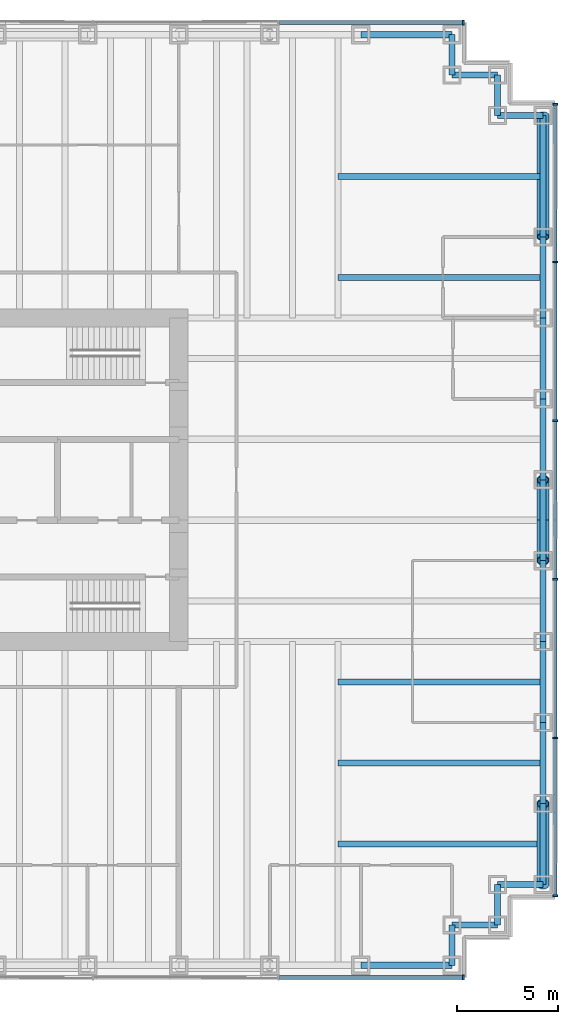
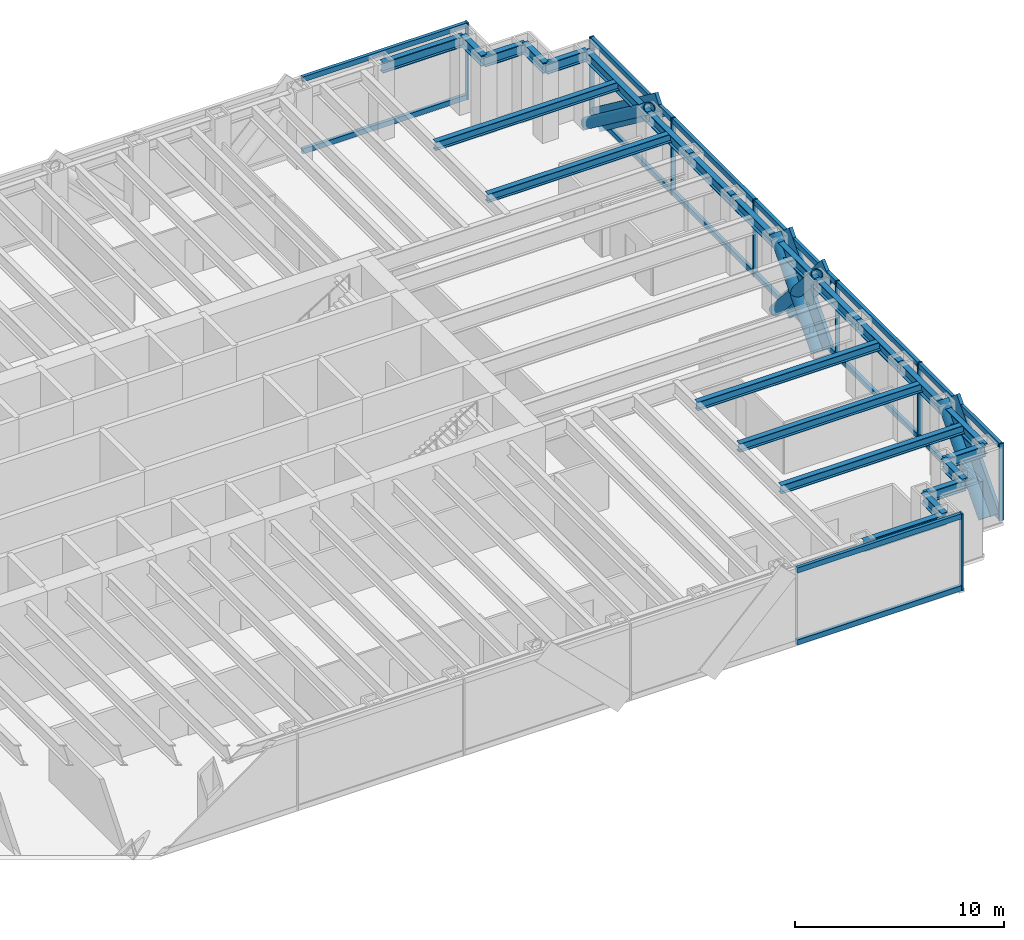
# One storey, part 7 of 13: 30 members, 24 beams, 3 elements without a shape of their own.
"""IFC4 building model written with IfcOpenShell, lengths in metres."""

from ifc_helpers import new_model, si_unit, direction, frame, origin, origin_2d, place, context, subcontext, project, spatial, rectangle, hollow_circle, i_section, extrude, material, material_profile, profile_set, type_object, element, aggregate, save


model = new_model("IFC4")

# Units and contexts
model_context = context("Model", 3, precision=1e-05, world=origin(), true_north=direction((0.0, 1.0)))
body_context = subcontext(model_context, "Body", "Model", "MODEL_VIEW")
ifc_project = project(units=[si_unit("LENGTHUNIT", "METRE"), si_unit("AREAUNIT", "SQUARE_METRE"), si_unit("VOLUMEUNIT", "CUBIC_METRE"), si_unit("PLANEANGLEUNIT", "RADIAN"), si_unit("MASSUNIT", "GRAM", prefix="KILO")], contexts=[model_context])

# Site, building, storey
site_placement = place(None, origin())
site = spatial("IfcSite", under=ifc_project, at=site_placement, CompositionType="ELEMENT")
building_placement = place(site_placement, origin())
building = spatial("IfcBuilding", under=site, at=building_placement, Name="Rheinbord Bourse Tower", CompositionType="ELEMENT")
storey_placement = place(building_placement, frame((0.0, 0.0, 81.5)))
storey = spatial("IfcBuildingStorey", under=building, at=storey_placement, Name="L17", CompositionType="ELEMENT", Elevation=81.5)

# Curtain wall, members
ifc_material_1 = material(Name="Dark glass and black aluminium", Category="aluminium")
curtain_wall_type = type_object("IfcCurtainWallType", Name="CW1 DARK GLASS CURTAIN WALL", PredefinedType="USERDEFINED", material=ifc_material_1)
curtain_wall_1_placement = place(storey_placement, origin())
curtain_wall_1 = element("IfcCurtainWall", 1, at=curtain_wall_1_placement, inside=storey, type_object=curtain_wall_type, Name="Curtain wall CW1 E L17", ObjectType="UNITISED CURTAIN WALL", PredefinedType="USERDEFINED")
ifc_material_2 = material(Name="Black anodised aluminium", Category="aluminium")
ifc_material_profile_1 = material_profile(ifc_material_2, rectangle(XDim=0.179931640625, YDim=1.2099609375, at=origin_2d()), Name="CW1 DIAGONAL MULLION 1210x180")
ifc_profile_set_1 = profile_set([ifc_material_profile_1], Name="Black anodised aluminium")
member_type_1 = type_object("IfcMemberType", Name="CW1 BLACK DIAGONAL MULLION", PredefinedType="USERDEFINED", material=ifc_profile_set_1)
member_1_placement = place(storey_placement, frame((72.60009765625, 4.0, 0.0), z_axis=(0.0, 0.66436383883, 0.747409318684), x_axis=(-1.0, 0.0, 0.0)))
member_1 = element("IfcMember", 2, at=member_1_placement, type_object=member_type_1, Name="CW1 diagonal mullion a", ObjectType="DIAGONAL MULLION", PredefinedType="USERDEFINED", context=body_context, shape_type="SweptSolid", body=[
    extrude(rectangle(XDim=0.179931640625, YDim=1.2099609375, at=origin_2d()), origin(), (0.0, 0.0, 1.0), 6.020751953125),
])
member_2_placement = place(storey_placement, frame((72.60009765625, 42.0, 0.0), z_axis=(0.0, -0.8, 0.6), x_axis=(1.0, 0.0, 0.0)))
member_2 = element("IfcMember", 3, at=member_2_placement, type_object=member_type_1, Name="CW1 diagonal mullion b", ObjectType="DIAGONAL MULLION", PredefinedType="USERDEFINED", context=body_context, shape_type="SweptSolid", body=[
    extrude(rectangle(XDim=0.179931640625, YDim=1.2099609375, at=origin_2d()), origin(), (0.0, 0.0, 1.0), 7.5),
])
member_3_placement = place(storey_placement, frame((72.60009765625, 20.0, 0.0), z_axis=(0.0, 0.66436383883, 0.747409318684), x_axis=(-1.0, 0.0, 0.0)))
member_3 = element("IfcMember", 4, at=member_3_placement, type_object=member_type_1, Name="CW1 diagonal mullion c", ObjectType="DIAGONAL MULLION", PredefinedType="USERDEFINED", context=body_context, shape_type="SweptSolid", body=[
    extrude(rectangle(XDim=0.179931640625, YDim=1.2099609375, at=origin_2d()), origin(), (0.0, 0.0, 1.0), 6.020751953125),
])
member_4_placement = place(storey_placement, frame((72.60009765625, 24.0, 0.0), z_axis=(0.0, -0.66436383883, 0.747409318684), x_axis=(1.0, 0.0, 0.0)))
member_4 = element("IfcMember", 5, at=member_4_placement, type_object=member_type_1, Name="CW1 diagonal mullion d", ObjectType="DIAGONAL MULLION", PredefinedType="USERDEFINED", context=body_context, shape_type="SweptSolid", body=[
    extrude(rectangle(XDim=0.179931640625, YDim=1.2099609375, at=origin_2d()), origin(), (0.0, 0.0, 1.0), 6.020751953125),
])

# Curtain wall, member
curtain_wall_2_placement = place(storey_placement, origin())
curtain_wall_2 = element("IfcCurtainWall", 6, at=curtain_wall_2_placement, inside=storey, type_object=curtain_wall_type, Name="Curtain wall CW1 S L17", ObjectType="UNITISED CURTAIN WALL", PredefinedType="USERDEFINED")
ifc_material_3 = material(Name="Black anodised aluminium", Category="aluminium")
ifc_material_profile_2 = material_profile(ifc_material_3, rectangle(XDim=0.25, YDim=0.080078125, at=origin_2d()), Name="CW1 MULLION 80x250")
ifc_profile_set_2 = profile_set([ifc_material_profile_2], Name="Black anodised aluminium")
member_type_2 = type_object("IfcMemberType", Name="CW1 BLACK MULLION", PredefinedType="MULLION", material=ifc_profile_set_2)
member_5_placement = place(storey_placement, frame((68.06005859375, -0.60009765625, 0.0), z_axis=(0.0, 0.0, 1.0), x_axis=(0.0, 1.0, 0.0)))
member_5 = element("IfcMember", 7, at=member_5_placement, type_object=member_type_2, Name="CW1 mullion 8", PredefinedType="MULLION", context=body_context, shape_type="SweptSolid", body=[
    extrude(rectangle(XDim=0.25, YDim=0.080078125, at=origin_2d()), origin(), (0.0, 0.0, 1.0), 4.5),
])

# Member
member_6_placement = place(storey_placement, frame((72.60009765625, 3.43994140625, 0.0), z_axis=(0.0, 0.0, 1.0), x_axis=(-1.0, 0.0, 0.0)))
member_6 = element("IfcMember", 8, at=member_6_placement, type_object=member_type_2, Name="CW1 mullion 1", PredefinedType="MULLION", context=body_context, shape_type="SweptSolid", body=[
    extrude(rectangle(XDim=0.25, YDim=0.080078125, at=origin_2d()), origin(), (0.0, 0.0, 1.0), 4.5),
])

member_7_placement = place(storey_placement, frame((72.60009765625, 11.239990234375, 0.0), z_axis=(0.0, 0.0, 1.0), x_axis=(-1.0, 0.0, 0.0)))
member_7 = element("IfcMember", 9, at=member_7_placement, type_object=member_type_2, Name="CW1 mullion 2", PredefinedType="MULLION", context=body_context, shape_type="SweptSolid", body=[
    extrude(rectangle(XDim=0.25, YDim=0.080078125, at=origin_2d()), origin(), (0.0, 0.0, 1.0), 4.5),
])

member_8_placement = place(storey_placement, frame((72.60009765625, 19.080078125, 0.0), z_axis=(0.0, 0.0, 1.0), x_axis=(-1.0, 0.0, 0.0)))
member_8 = element("IfcMember", 10, at=member_8_placement, type_object=member_type_2, Name="CW1 mullion 3", PredefinedType="MULLION", context=body_context, shape_type="SweptSolid", body=[
    extrude(rectangle(XDim=0.25, YDim=0.080078125, at=origin_2d()), origin(), (0.0, 0.0, 1.0), 4.5),
])

member_9_placement = place(storey_placement, frame((72.60009765625, 26.919921875, 0.0), z_axis=(0.0, 0.0, 1.0), x_axis=(-1.0, 0.0, 0.0)))
member_9 = element("IfcMember", 11, at=member_9_placement, type_object=member_type_2, Name="CW1 mullion 4", PredefinedType="MULLION", context=body_context, shape_type="SweptSolid", body=[
    extrude(rectangle(XDim=0.25, YDim=0.080078125, at=origin_2d()), origin(), (0.0, 0.0, 1.0), 4.5),
])

member_10_placement = place(storey_placement, frame((72.60009765625, 34.760009765625, 0.0), z_axis=(0.0, 0.0, 1.0), x_axis=(-1.0, 0.0, 0.0)))
member_10 = element("IfcMember", 12, at=member_10_placement, type_object=member_type_2, Name="CW1 mullion 5", PredefinedType="MULLION", context=body_context, shape_type="SweptSolid", body=[
    extrude(rectangle(XDim=0.25, YDim=0.080078125, at=origin_2d()), origin(), (0.0, 0.0, 1.0), 4.5),
])

member_11_placement = place(storey_placement, frame((72.60009765625, 42.56005859375, 0.0), z_axis=(0.0, 0.0, 1.0), x_axis=(-1.0, 0.0, 0.0)))
member_11 = element("IfcMember", 13, at=member_11_placement, type_object=member_type_2, Name="CW1 mullion 6", PredefinedType="MULLION", context=body_context, shape_type="SweptSolid", body=[
    extrude(rectangle(XDim=0.25, YDim=0.080078125, at=origin_2d()), origin(), (0.0, 0.0, 1.0), 4.5),
])

# Curtain wall, member
curtain_wall_3_placement = place(storey_placement, origin())
curtain_wall_3 = element("IfcCurtainWall", 14, at=curtain_wall_3_placement, inside=storey, type_object=curtain_wall_type, Name="Curtain wall CW1 N L17", ObjectType="UNITISED CURTAIN WALL", PredefinedType="USERDEFINED")
member_12_placement = place(storey_placement, frame((68.06005859375, 46.60009765625, 0.0), z_axis=(0.0, 0.0, 1.0), x_axis=(0.0, -1.0, 0.0)))
member_12 = element("IfcMember", 15, at=member_12_placement, type_object=member_type_2, Name="CW1 mullion 1", PredefinedType="MULLION", context=body_context, shape_type="SweptSolid", body=[
    extrude(rectangle(XDim=0.25, YDim=0.080078125, at=origin_2d()), origin(), (0.0, 0.0, 1.0), 4.5),
])

# Member
ifc_material_4 = material(Name="Black anodised aluminium", Category="aluminium")
ifc_material_profile_3 = material_profile(ifc_material_4, rectangle(XDim=0.179931640625, YDim=0.300048828125, at=origin_2d()), Name="CW1 TRANSOM 300x180")
ifc_profile_set_3 = profile_set([ifc_material_profile_3], Name="Black anodised aluminium")
member_type_3 = type_object("IfcMemberType", Name="CW1 BLACK TRANSOM", PredefinedType="USERDEFINED", material=ifc_profile_set_3)
member_13_placement = place(storey_placement, frame((58.968505859375, -0.60009765625, 0.14990234375), z_axis=(1.0, 0.0, 0.0), x_axis=(0.0, 1.0, 0.0)))
member_13 = element("IfcMember", 16, at=member_13_placement, type_object=member_type_3, Name="CW1 transom 7.1", ObjectType="TRANSOM", PredefinedType="USERDEFINED", context=body_context, shape_type="SweptSolid", body=[
    extrude(rectangle(XDim=0.179931640625, YDim=0.300048828125, at=origin_2d()), origin(), (0.0, 0.0, 1.0), 9.051513671875),
])

member_14_placement = place(storey_placement, frame((58.968505859375, -0.60009765625, 4.35009765625), z_axis=(1.0, 0.0, 0.0), x_axis=(0.0, 1.0, 0.0)))
member_14 = element("IfcMember", 17, at=member_14_placement, type_object=member_type_3, Name="CW1 transom 7.2", ObjectType="TRANSOM", PredefinedType="USERDEFINED", context=body_context, shape_type="SweptSolid", body=[
    extrude(rectangle(XDim=0.179931640625, YDim=0.300048828125, at=origin_2d()), origin(), (0.0, 0.0, 1.0), 9.051513671875),
])

aggregate(curtain_wall_2, [member_5, member_13, member_14])

member_15_placement = place(storey_placement, frame((72.60009765625, 3.47998046875, 0.14990234375), z_axis=(0.0, 1.0, 0.0), x_axis=(-1.0, 0.0, 0.0)))
member_15 = element("IfcMember", 18, at=member_15_placement, type_object=member_type_3, Name="CW1 transom 1.1", ObjectType="TRANSOM", PredefinedType="USERDEFINED", context=body_context, shape_type="SweptSolid", body=[
    extrude(rectangle(XDim=0.179931640625, YDim=0.300048828125, at=origin_2d()), origin(), (0.0, 0.0, 1.0), 7.719970703125),
])

member_16_placement = place(storey_placement, frame((72.60009765625, 3.47998046875, 4.35009765625), z_axis=(0.0, 1.0, 0.0), x_axis=(-1.0, 0.0, 0.0)))
member_16 = element("IfcMember", 19, at=member_16_placement, type_object=member_type_3, Name="CW1 transom 1.2", ObjectType="TRANSOM", PredefinedType="USERDEFINED", context=body_context, shape_type="SweptSolid", body=[
    extrude(rectangle(XDim=0.179931640625, YDim=0.300048828125, at=origin_2d()), origin(), (0.0, 0.0, 1.0), 7.719970703125),
])

member_17_placement = place(storey_placement, frame((72.60009765625, 11.280029296875, 0.14990234375), z_axis=(0.0, 1.0, 0.0), x_axis=(-1.0, 0.0, 0.0)))
member_17 = element("IfcMember", 20, at=member_17_placement, type_object=member_type_3, Name="CW1 transom 2.1", ObjectType="TRANSOM", PredefinedType="USERDEFINED", context=body_context, shape_type="SweptSolid", body=[
    extrude(rectangle(XDim=0.179931640625, YDim=0.300048828125, at=origin_2d()), origin(), (0.0, 0.0, 1.0), 7.760009765625),
])

member_18_placement = place(storey_placement, frame((72.60009765625, 11.280029296875, 4.35009765625), z_axis=(0.0, 1.0, 0.0), x_axis=(-1.0, 0.0, 0.0)))
member_18 = element("IfcMember", 21, at=member_18_placement, type_object=member_type_3, Name="CW1 transom 2.2", ObjectType="TRANSOM", PredefinedType="USERDEFINED", context=body_context, shape_type="SweptSolid", body=[
    extrude(rectangle(XDim=0.179931640625, YDim=0.300048828125, at=origin_2d()), origin(), (0.0, 0.0, 1.0), 7.760009765625),
])

member_19_placement = place(storey_placement, frame((72.60009765625, 19.1201171875, 0.14990234375), z_axis=(0.0, 1.0, 0.0), x_axis=(-1.0, 0.0, 0.0)))
member_19 = element("IfcMember", 22, at=member_19_placement, type_object=member_type_3, Name="CW1 transom 3.1", ObjectType="TRANSOM", PredefinedType="USERDEFINED", context=body_context, shape_type="SweptSolid", body=[
    extrude(rectangle(XDim=0.179931640625, YDim=0.300048828125, at=origin_2d()), origin(), (0.0, 0.0, 1.0), 7.759765625),
])

member_20_placement = place(storey_placement, frame((72.60009765625, 19.1201171875, 4.35009765625), z_axis=(0.0, 1.0, 0.0), x_axis=(-1.0, 0.0, 0.0)))
member_20 = element("IfcMember", 23, at=member_20_placement, type_object=member_type_3, Name="CW1 transom 3.2", ObjectType="TRANSOM", PredefinedType="USERDEFINED", context=body_context, shape_type="SweptSolid", body=[
    extrude(rectangle(XDim=0.179931640625, YDim=0.300048828125, at=origin_2d()), origin(), (0.0, 0.0, 1.0), 7.759765625),
])

member_21_placement = place(storey_placement, frame((72.60009765625, 26.9599609375, 0.14990234375), z_axis=(0.0, 1.0, 0.0), x_axis=(-1.0, 0.0, 0.0)))
member_21 = element("IfcMember", 24, at=member_21_placement, type_object=member_type_3, Name="CW1 transom 4.1", ObjectType="TRANSOM", PredefinedType="USERDEFINED", context=body_context, shape_type="SweptSolid", body=[
    extrude(rectangle(XDim=0.179931640625, YDim=0.300048828125, at=origin_2d()), origin(), (0.0, 0.0, 1.0), 7.760009765625),
])

member_22_placement = place(storey_placement, frame((72.60009765625, 26.9599609375, 4.35009765625), z_axis=(0.0, 1.0, 0.0), x_axis=(-1.0, 0.0, 0.0)))
member_22 = element("IfcMember", 25, at=member_22_placement, type_object=member_type_3, Name="CW1 transom 4.2", ObjectType="TRANSOM", PredefinedType="USERDEFINED", context=body_context, shape_type="SweptSolid", body=[
    extrude(rectangle(XDim=0.179931640625, YDim=0.300048828125, at=origin_2d()), origin(), (0.0, 0.0, 1.0), 7.760009765625),
])

member_23_placement = place(storey_placement, frame((72.60009765625, 34.800048828125, 0.14990234375), z_axis=(0.0, 1.0, 0.0), x_axis=(-1.0, 0.0, 0.0)))
member_23 = element("IfcMember", 26, at=member_23_placement, type_object=member_type_3, Name="CW1 transom 5.1", ObjectType="TRANSOM", PredefinedType="USERDEFINED", context=body_context, shape_type="SweptSolid", body=[
    extrude(rectangle(XDim=0.179931640625, YDim=0.300048828125, at=origin_2d()), origin(), (0.0, 0.0, 1.0), 7.719970703125),
])

member_24_placement = place(storey_placement, frame((72.60009765625, 34.800048828125, 4.35009765625), z_axis=(0.0, 1.0, 0.0), x_axis=(-1.0, 0.0, 0.0)))
member_24 = element("IfcMember", 27, at=member_24_placement, type_object=member_type_3, Name="CW1 transom 5.2", ObjectType="TRANSOM", PredefinedType="USERDEFINED", context=body_context, shape_type="SweptSolid", body=[
    extrude(rectangle(XDim=0.179931640625, YDim=0.300048828125, at=origin_2d()), origin(), (0.0, 0.0, 1.0), 7.719970703125),
])

aggregate(curtain_wall_1, [member_6, member_7, member_8, member_9, member_10, member_11, member_15, member_16, member_17, member_18, member_19, member_20, member_21, member_22, member_23, member_24, member_1, member_2, member_3, member_4])

member_25_placement = place(storey_placement, frame((68.02001953125, 46.60009765625, 0.14990234375), z_axis=(-1.0, 0.0, 0.0), x_axis=(0.0, -1.0, 0.0)))
member_25 = element("IfcMember", 28, at=member_25_placement, type_object=member_type_3, Name="CW1 transom 1.1", ObjectType="TRANSOM", PredefinedType="USERDEFINED", context=body_context, shape_type="SweptSolid", body=[
    extrude(rectangle(XDim=0.179931640625, YDim=0.300048828125, at=origin_2d()), origin(), (0.0, 0.0, 1.0), 9.051513671875),
])

member_26_placement = place(storey_placement, frame((68.02001953125, 46.60009765625, 4.35009765625), z_axis=(-1.0, 0.0, 0.0), x_axis=(0.0, -1.0, 0.0)))
member_26 = element("IfcMember", 29, at=member_26_placement, type_object=member_type_3, Name="CW1 transom 1.2", ObjectType="TRANSOM", PredefinedType="USERDEFINED", context=body_context, shape_type="SweptSolid", body=[
    extrude(rectangle(XDim=0.179931640625, YDim=0.300048828125, at=origin_2d()), origin(), (0.0, 0.0, 1.0), 9.051513671875),
])

aggregate(curtain_wall_3, [member_12, member_25, member_26])

# Members
ifc_material_5 = material(Name="Steel S460", Category="steel")
ifc_material_profile_4 = material_profile(ifc_material_5, hollow_circle(Radius=0.304931640625, WallThickness=0.050048828125, at=origin_2d()), Name="CHS 610x50")
ifc_profile_set_4 = profile_set([ifc_material_profile_4], Name="Steel S460")
member_type_4 = type_object("IfcMemberType", Name="MEGABRACE CHS 610x50", PredefinedType="BRACE", material=ifc_profile_set_4)
member_27_placement = place(storey_placement, frame((72.0, 4.0, 0.0), z_axis=(0.0, 0.66436383883, 0.747409318684), x_axis=(-1.0, 0.0, 0.0)))
element("IfcMember", 30, at=member_27_placement, inside=storey, type_object=member_type_4, Name="Megabrace E face line a L17", PredefinedType="BRACE", context=body_context, shape_type="SweptSolid", body=[
    extrude(hollow_circle(Radius=0.304931640625, WallThickness=0.050048828125, at=origin_2d()), origin(), (0.0, 0.0, 1.0), 6.020751953125),
])
member_28_placement = place(storey_placement, frame((72.0, 42.0, 0.0), z_axis=(0.0, -0.8, 0.6), x_axis=(1.0, 0.0, 0.0)))
element("IfcMember", 31, at=member_28_placement, inside=storey, type_object=member_type_4, Name="Megabrace E face line b L17", PredefinedType="BRACE", context=body_context, shape_type="SweptSolid", body=[
    extrude(hollow_circle(Radius=0.304931640625, WallThickness=0.050048828125, at=origin_2d()), origin(), (0.0, 0.0, 1.0), 7.5),
])
for number, where, z_axis, x_axis, name in (
    (32, (72.0, 20.0, 0.0), (0.0, 0.66436383883, 0.747409318684), (-1.0, 0.0, 0.0), "Megabrace E face line c L17"),
    (33, (72.0, 24.0, 0.0), (0.0, -0.66436383883, 0.747409318684), (1.0, 0.0, 0.0), "Megabrace E face line d L17"),
):
    element("IfcMember", number, at=place(storey_placement, frame(where, z_axis=z_axis, x_axis=x_axis)), inside=storey, type_object=member_type_4, Name=name, PredefinedType="BRACE", context=body_context, shape_type="SweptSolid", body=[
        extrude(hollow_circle(Radius=0.304931640625, WallThickness=0.050048828125, at=origin_2d()), origin(), (0.0, 0.0, 1.0), 6.020751953125),
    ])

# Beams
ifc_material_6 = material(Name="Steel S460", Category="steel")
ifc_material_profile_5 = material_profile(ifc_material_6, i_section(OverallWidth=0.304931640625, OverallDepth=0.6201171875, WebThickness=0.02099609375, FlangeThickness=0.0400390625, at=origin_2d()), Name="HEM 600")
ifc_profile_set_5 = profile_set([ifc_material_profile_5], Name="Steel S460")
beam_type_1 = type_object("IfcBeamType", Name="SPANDREL HEM 600", PredefinedType="SPANDREL", material=ifc_profile_set_5)
beam_1_placement = place(storey_placement, frame((63.0, 0.0, 4.010009765625), z_axis=(1.0, 0.0, 0.0), x_axis=(0.0, 1.0, 0.0)))
element("IfcBeam", 34, at=beam_1_placement, inside=storey, type_object=beam_type_1, Name="Spandrel S-63-SE-E under L18", PredefinedType="SPANDREL", context=body_context, shape_type="SweptSolid", body=[
    extrude(i_section(OverallWidth=0.304931640625, OverallDepth=0.6201171875, WebThickness=0.02099609375, FlangeThickness=0.0400390625, at=origin_2d()), origin(), (0.0, 0.0, 1.0), 4.5),
])
beam_2_placement = place(storey_placement, frame((67.5, 0.0, 4.010009765625), z_axis=(0.0, 1.0, 0.0), x_axis=(-1.0, 0.0, 0.0)))
element("IfcBeam", 35, at=beam_2_placement, inside=storey, type_object=beam_type_1, Name="Spandrel SE-E-SE-D under L18", PredefinedType="SPANDREL", context=body_context, shape_type="SweptSolid", body=[
    extrude(i_section(OverallWidth=0.304931640625, OverallDepth=0.6201171875, WebThickness=0.02099609375, FlangeThickness=0.0400390625, at=origin_2d()), origin(), (0.0, 0.0, 1.0), 2.0),
])
beam_3_placement = place(storey_placement, frame((67.5, 2.0, 4.010009765625), z_axis=(1.0, 0.0, 0.0), x_axis=(0.0, 1.0, 0.0)))
element("IfcBeam", 36, at=beam_3_placement, inside=storey, type_object=beam_type_1, Name="Spandrel SE-D-SE-C under L18", PredefinedType="SPANDREL", context=body_context, shape_type="SweptSolid", body=[
    extrude(i_section(OverallWidth=0.304931640625, OverallDepth=0.6201171875, WebThickness=0.02099609375, FlangeThickness=0.0400390625, at=origin_2d()), origin(), (0.0, 0.0, 1.0), 2.25),
])
beam_4_placement = place(storey_placement, frame((69.75, 2.0, 4.010009765625), z_axis=(0.0, 1.0, 0.0), x_axis=(-1.0, 0.0, 0.0)))
element("IfcBeam", 37, at=beam_4_placement, inside=storey, type_object=beam_type_1, Name="Spandrel SE-C-SE-B under L18", PredefinedType="SPANDREL", context=body_context, shape_type="SweptSolid", body=[
    extrude(i_section(OverallWidth=0.304931640625, OverallDepth=0.6201171875, WebThickness=0.02099609375, FlangeThickness=0.0400390625, at=origin_2d()), origin(), (0.0, 0.0, 1.0), 2.0),
])
beam_5_placement = place(storey_placement, frame((69.75, 4.0, 4.010009765625), z_axis=(1.0, 0.0, 0.0), x_axis=(0.0, 1.0, 0.0)))
element("IfcBeam", 38, at=beam_5_placement, inside=storey, type_object=beam_type_1, Name="Spandrel SE-B-SE-A under L18", PredefinedType="SPANDREL", context=body_context, shape_type="SweptSolid", body=[
    extrude(i_section(OverallWidth=0.304931640625, OverallDepth=0.6201171875, WebThickness=0.02099609375, FlangeThickness=0.0400390625, at=origin_2d()), origin(), (0.0, 0.0, 1.0), 2.25),
])
for number, where, z_axis, x_axis, name in (
    (39, (72.0, 4.0, 4.010009765625), (0.0, 1.0, 0.0), (-1.0, 0.0, 0.0), "Spandrel SE-A-E-8 under L18"),
    (40, (72.0, 8.0, 4.010009765625), (0.0, 1.0, 0.0), (-1.0, 0.0, 0.0), "Spandrel E-8-E-12 under L18"),
    (41, (72.0, 12.0, 4.010009765625), (0.0, 1.0, 0.0), (-1.0, 0.0, 0.0), "Spandrel E-12-E-16 under L18"),
    (42, (72.0, 16.0, 4.010009765625), (0.0, 1.0, 0.0), (-1.0, 0.0, 0.0), "Spandrel E-16-E-20 under L18"),
    (43, (72.0, 20.0, 4.010009765625), (0.0, 1.0, 0.0), (-1.0, 0.0, 0.0), "Spandrel E-20-E-24 under L18"),
    (44, (72.0, 24.0, 4.010009765625), (0.0, 1.0, 0.0), (-1.0, 0.0, 0.0), "Spandrel E-24-E-28 under L18"),
    (45, (72.0, 28.0, 4.010009765625), (0.0, 1.0, 0.0), (-1.0, 0.0, 0.0), "Spandrel E-28-E-32 under L18"),
    (46, (72.0, 32.0, 4.010009765625), (0.0, 1.0, 0.0), (-1.0, 0.0, 0.0), "Spandrel E-32-E-36 under L18"),
):
    element("IfcBeam", number, at=place(storey_placement, frame(where, z_axis=z_axis, x_axis=x_axis)), inside=storey, type_object=beam_type_1, Name=name, PredefinedType="SPANDREL", context=body_context, shape_type="SweptSolid", body=[
        extrude(i_section(OverallWidth=0.304931640625, OverallDepth=0.6201171875, WebThickness=0.02099609375, FlangeThickness=0.0400390625, at=origin_2d()), origin(), (0.0, 0.0, 1.0), 4.0),
    ])
beam_6_placement = place(storey_placement, frame((72.0, 36.0, 4.010009765625), z_axis=(0.0, 1.0, 0.0), x_axis=(-1.0, 0.0, 0.0)))
element("IfcBeam", 47, at=beam_6_placement, inside=storey, type_object=beam_type_1, Name="Spandrel E-36-NE-A under L18", PredefinedType="SPANDREL", context=body_context, shape_type="SweptSolid", body=[
    extrude(i_section(OverallWidth=0.304931640625, OverallDepth=0.6201171875, WebThickness=0.02099609375, FlangeThickness=0.0400390625, at=origin_2d()), origin(), (0.0, 0.0, 1.0), 6.0),
])
beam_7_placement = place(storey_placement, frame((72.0, 42.0, 4.010009765625), z_axis=(-1.0, 0.0, 0.0), x_axis=(0.0, -1.0, 0.0)))
element("IfcBeam", 48, at=beam_7_placement, inside=storey, type_object=beam_type_1, Name="Spandrel NE-A-NE-B under L18", PredefinedType="SPANDREL", context=body_context, shape_type="SweptSolid", body=[
    extrude(i_section(OverallWidth=0.304931640625, OverallDepth=0.6201171875, WebThickness=0.02099609375, FlangeThickness=0.0400390625, at=origin_2d()), origin(), (0.0, 0.0, 1.0), 2.25),
])
beam_8_placement = place(storey_placement, frame((69.75, 42.0, 4.010009765625), z_axis=(0.0, 1.0, 0.0), x_axis=(-1.0, 0.0, 0.0)))
element("IfcBeam", 49, at=beam_8_placement, inside=storey, type_object=beam_type_1, Name="Spandrel NE-B-NE-C under L18", PredefinedType="SPANDREL", context=body_context, shape_type="SweptSolid", body=[
    extrude(i_section(OverallWidth=0.304931640625, OverallDepth=0.6201171875, WebThickness=0.02099609375, FlangeThickness=0.0400390625, at=origin_2d()), origin(), (0.0, 0.0, 1.0), 2.0),
])
beam_9_placement = place(storey_placement, frame((69.75, 44.0, 4.010009765625), z_axis=(-1.0, 0.0, 0.0), x_axis=(0.0, -1.0, 0.0)))
element("IfcBeam", 50, at=beam_9_placement, inside=storey, type_object=beam_type_1, Name="Spandrel NE-C-NE-D under L18", PredefinedType="SPANDREL", context=body_context, shape_type="SweptSolid", body=[
    extrude(i_section(OverallWidth=0.304931640625, OverallDepth=0.6201171875, WebThickness=0.02099609375, FlangeThickness=0.0400390625, at=origin_2d()), origin(), (0.0, 0.0, 1.0), 2.25),
])
beam_10_placement = place(storey_placement, frame((67.5, 44.0, 4.010009765625), z_axis=(0.0, 1.0, 0.0), x_axis=(-1.0, 0.0, 0.0)))
element("IfcBeam", 51, at=beam_10_placement, inside=storey, type_object=beam_type_1, Name="Spandrel NE-D-NE-E under L18", PredefinedType="SPANDREL", context=body_context, shape_type="SweptSolid", body=[
    extrude(i_section(OverallWidth=0.304931640625, OverallDepth=0.6201171875, WebThickness=0.02099609375, FlangeThickness=0.0400390625, at=origin_2d()), origin(), (0.0, 0.0, 1.0), 2.0),
])
beam_11_placement = place(storey_placement, frame((67.5, 46.0, 4.010009765625), z_axis=(-1.0, 0.0, 0.0), x_axis=(0.0, -1.0, 0.0)))
element("IfcBeam", 52, at=beam_11_placement, inside=storey, type_object=beam_type_1, Name="Spandrel NE-E-N-63 under L18", PredefinedType="SPANDREL", context=body_context, shape_type="SweptSolid", body=[
    extrude(i_section(OverallWidth=0.304931640625, OverallDepth=0.6201171875, WebThickness=0.02099609375, FlangeThickness=0.0400390625, at=origin_2d()), origin(), (0.0, 0.0, 1.0), 4.5),
])
ifc_material_7 = material(Name="Steel S460", Category="steel")
ifc_material_profile_6 = material_profile(ifc_material_7, i_section(OverallWidth=0.300048828125, OverallDepth=0.5, WebThickness=0.014404296875, FlangeThickness=0.028076171875, at=origin_2d()), Name="HEB 500")
ifc_profile_set_6 = profile_set([ifc_material_profile_6], Name="Steel S460")
beam_type_2 = type_object("IfcBeamType", Name="TIE BEAM HEB 500", PredefinedType="JOIST", material=ifc_profile_set_6)
for number, where, z_axis, x_axis, name in (
    (53, (61.875, 6.0, 4.070068359375), (1.0, 0.0, 0.0), (0.0, 1.0, 0.0), "Tie east 6 L18"),
    (54, (61.875, 10.0, 4.070068359375), (1.0, 0.0, 0.0), (0.0, 1.0, 0.0), "Tie east 10 L18"),
    (55, (61.875, 14.0, 4.070068359375), (1.0, 0.0, 0.0), (0.0, 1.0, 0.0), "Tie east 14 L18"),
    (56, (61.875, 34.0, 4.070068359375), (1.0, 0.0, 0.0), (0.0, 1.0, 0.0), "Tie east 34 L18"),
    (57, (61.875, 39.0, 4.070068359375), (1.0, 0.0, 0.0), (0.0, 1.0, 0.0), "Tie east 39 L18"),
):
    element("IfcBeam", number, at=place(storey_placement, frame(where, z_axis=z_axis, x_axis=x_axis)), inside=storey, type_object=beam_type_2, Name=name, PredefinedType="JOIST", context=body_context, shape_type="SweptSolid", body=[
        extrude(i_section(OverallWidth=0.300048828125, OverallDepth=0.5, WebThickness=0.014404296875, FlangeThickness=0.028076171875, at=origin_2d()), origin(), (0.0, 0.0, 1.0), 10.125),
    ])

save(model, "model.ifc")
